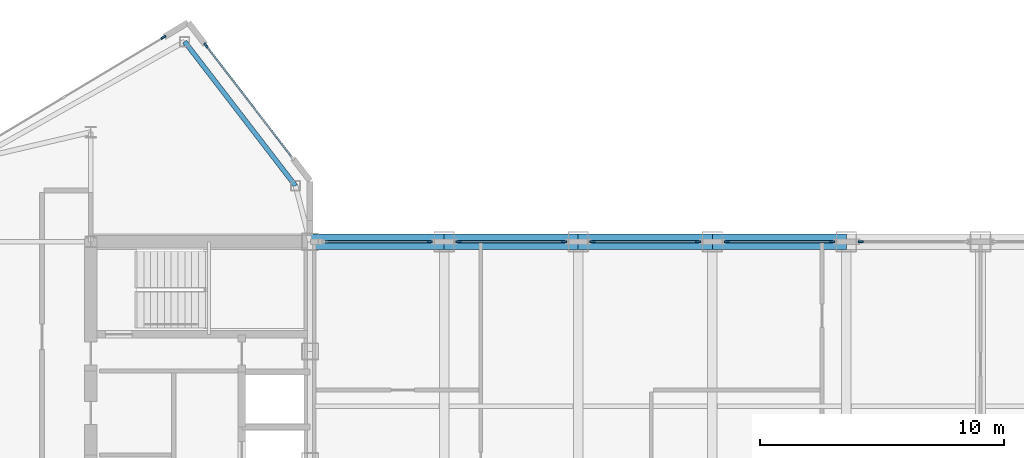
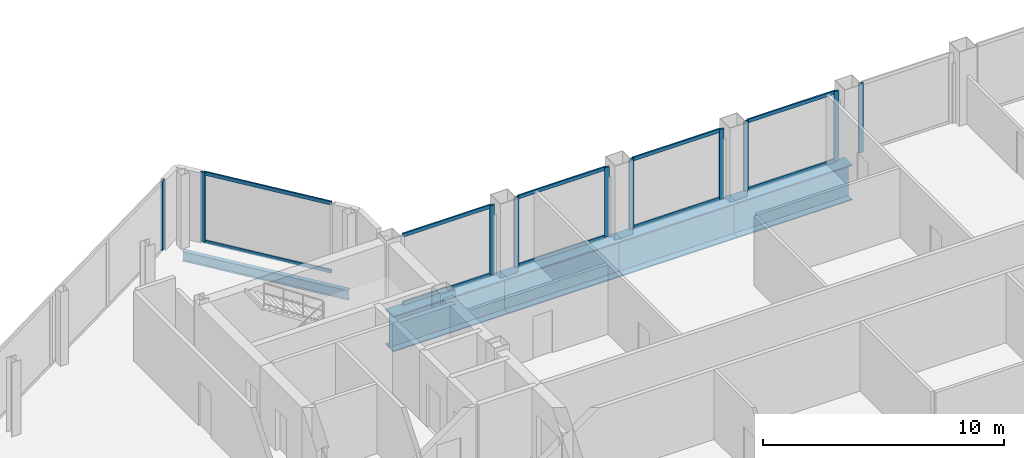
# One storey, part 12 of 29: 20 members, 5 beams, 7 elements without a shape of their own.
"""IFC4 building model written with IfcOpenShell, lengths in metres."""

from ifc_helpers import new_model, si_unit, direction, frame, origin, origin_2d, place, context, subcontext, project, spatial, rectangle, i_section, extrude, source, transform, mapped, material, layer, layer_set, material_profile, profile_set, type_object, type_shapes, element, aggregate, save


model = new_model("IFC4")

# Units and contexts
model_context = context("Model", 3, precision=1e-05, world=origin(), true_north=direction((0.0, 1.0)))
body_context = subcontext(model_context, "Body", "Model", "MODEL_VIEW")
ifc_project = project(units=[si_unit("LENGTHUNIT", "METRE"), si_unit("AREAUNIT", "SQUARE_METRE"), si_unit("VOLUMEUNIT", "CUBIC_METRE"), si_unit("PLANEANGLEUNIT", "RADIAN"), si_unit("MASSUNIT", "GRAM", prefix="KILO")], contexts=[model_context])

# Site, building, storey
site_placement = place(None, origin())
site = spatial("IfcSite", under=ifc_project, at=site_placement, CompositionType="ELEMENT")
building_placement = place(site_placement, origin())
building = spatial("IfcBuilding", under=site, at=building_placement, Name="Seokmaru Belvedere", CompositionType="ELEMENT")
storey_placement = place(building_placement, frame((0.0, 0.0, 239.39990234375)))
storey = spatial("IfcBuildingStorey", under=building, at=storey_placement, Name="L63", CompositionType="ELEMENT", Elevation=239.39990234375)

# Beams
ifc_material_1 = material(Name="Steel SM355 (355 MPa)", Category="steel")
ifc_material_profile_1 = material_profile(ifc_material_1, i_section(OverallWidth=0.199951171875, OverallDepth=0.5, WebThickness=0.010009765625, FlangeThickness=0.01611328125, at=origin_2d()), Name="H-500x200x10x16")
ifc_profile_set_1 = profile_set([ifc_material_profile_1], Name="Steel SM355 (355 MPa)")
beam_type_1 = type_object("IfcBeamType", Name="Perimeter Spandrel Beam H-500", PredefinedType="SPANDREL", material=ifc_profile_set_1)
shared_shape_1 = source(origin(), body_context, "Body", "SweptSolid", [
    extrude(i_section(OverallWidth=0.199951171875, OverallDepth=0.5, WebThickness=0.010009765625, FlangeThickness=0.01611328125, at=origin_2d()), origin(), (0.0, 0.0, 1.0), 7.4619140625),
])
type_shapes(beam_type_1, [shared_shape_1])
beam_placement = place(storey_placement, frame((-32.649658203125, 21.71044921875, -0.469970703125), z_axis=(0.609702854945, -0.792630070507, 0.0), x_axis=(0.792630070507, 0.609702854945, 0.0)))
element("IfcBeam", 1, at=beam_placement, inside=storey, type_object=beam_type_1, Name="L63 W Shoulder Chamfer Spandrel N", PredefinedType="SPANDREL", context=body_context, shape_type="MappedRepresentation", body=[
    mapped(shared_shape_1, transform((0.0, 0.0, 0.0), scale=1.0)),
])
ifc_material_2 = material(Name="Steel HSA650 (650 MPa)", Category="steel")
ifc_material_profile_2 = material_profile(ifc_material_2, i_section(OverallWidth=0.64990234375, OverallDepth=1.800048828125, WebThickness=0.031982421875, FlangeThickness=0.054931640625, at=origin_2d()), Name="BH-1800x650x32x55")
ifc_profile_set_2 = profile_set([ifc_material_profile_2], Name="Steel HSA650 (650 MPa)")
beam_type_2 = type_object("IfcBeamType", Name="Sky-Gate Upper Bridge Chord Girder BH-1800", PredefinedType="BEAM", material=ifc_profile_set_2)
shared_shape_2 = source(origin(), body_context, "Body", "SweptSolid", [
    extrude(i_section(OverallWidth=0.64990234375, OverallDepth=1.800048828125, WebThickness=0.031982421875, FlangeThickness=0.054931640625, at=origin_2d()), origin(), (0.0, 0.0, 1.0), 5.5),
])
type_shapes(beam_type_2, [shared_shape_2])
for number, where, z_axis, x_axis, name in (
    (2, (-27.5, 13.5, -1.119873046875), (1.0, 0.0, 0.0), (0.0, 1.0, 0.0), "L63 Sky-Gate Transfer Truss Chord N-02"),
    (3, (-22.0, 13.5, -1.119873046875), (1.0, 0.0, 0.0), (0.0, 1.0, 0.0), "L63 Sky-Gate Transfer Truss Chord N-03"),
    (4, (-16.5, 13.5, -1.119873046875), (1.0, 0.0, 0.0), (0.0, 1.0, 0.0), "L63 Sky-Gate Transfer Truss Chord N-04"),
    (5, (-11.0, 13.5, -1.119873046875), (1.0, 0.0, 0.0), (0.0, 1.0, 0.0), "L63 Sky-Gate Transfer Truss Chord N-05"),
):
    element("IfcBeam", number, at=place(storey_placement, frame(where, z_axis=z_axis, x_axis=x_axis)), inside=storey, type_object=beam_type_2, Name=name, PredefinedType="BEAM", context=body_context, shape_type="MappedRepresentation", body=[
        mapped(shared_shape_2, transform((0.0, 0.0, 0.0), scale=1.0)),
    ])

# Curtain wall, members
ifc_material_3 = material(Name="Bronze Triple Insulating Glass", Category="glass")
ifc_layer = layer(ifc_material_3, 0.219970703125)
ifc_layer_set = layer_set([ifc_layer], Name="Bronze Triple Insulating Glass")
curtain_wall_type = type_object("IfcCurtainWallType", Name="Sky-Gate Bridge Panorama Curtain Wall System CW-6", PredefinedType="NOTDEFINED", material=ifc_layer_set)
curtain_wall_1_placement = place(storey_placement, origin())
curtain_wall_1 = element("IfcCurtainWall", 6, at=curtain_wall_1_placement, inside=storey, type_object=curtain_wall_type, Name="L63 Curtain Wall WF2", PredefinedType="NOTDEFINED")
ifc_material_4 = material(Name="Anodised Bronze Aluminium", Category="aluminium")
ifc_material_profile_3 = material_profile(ifc_material_4, rectangle(XDim=0.074951171875, YDim=0.179931640625, at=origin_2d()), Name="CW-T-75x180")
ifc_profile_set_3 = profile_set([ifc_material_profile_3], Name="Anodised Bronze Aluminium")
member_type_1 = type_object("IfcMemberType", Name="Bronze Unitised Transom 75x180", PredefinedType="USERDEFINED", material=ifc_profile_set_3)
shared_shape_3 = source(origin(), body_context, "Body", "SweptSolid", [
    extrude(rectangle(XDim=0.074951171875, YDim=0.179931640625, at=origin_2d()), origin(), (0.0, 0.0, 1.0), 5.74072265625),
])
member_1_placement = place(storey_placement, frame((-28.25, 16.974853515625, 0.03759765625), z_axis=(-0.609686097287, 0.792642960465, 0.0), x_axis=(-0.792642960465, -0.609686097287, 0.0)))
member_1 = element("IfcMember", 7, at=member_1_placement, type_object=member_type_1, Name="CW:L63:WF2 Continuous Transom 1", ObjectType="TRANSOM", PredefinedType="USERDEFINED", context=body_context, shape_type="MappedRepresentation", body=[
    mapped(shared_shape_3, transform((0.0, 0.0, 0.0), scale=1.0)),
])
member_2_placement = place(storey_placement, frame((-28.25, 16.974853515625, 3.49267578125), z_axis=(-0.609686097287, 0.792642960465, 0.0), x_axis=(-0.792642960465, -0.609686097287, 0.0)))
member_2 = element("IfcMember", 8, at=member_2_placement, type_object=member_type_1, Name="CW:L63:WF2 Continuous Transom 2", ObjectType="TRANSOM", PredefinedType="USERDEFINED", context=body_context, shape_type="MappedRepresentation", body=[
    mapped(shared_shape_3, transform((0.0, 0.0, 0.0), scale=1.0)),
])

curtain_wall_2_placement = place(storey_placement, origin())
curtain_wall_2 = element("IfcCurtainWall", 9, at=curtain_wall_2_placement, inside=storey, type_object=curtain_wall_type, Name="L63 Curtain Wall BR_N01", PredefinedType="NOTDEFINED")
shared_shape_4 = source(origin(), body_context, "Body", "SweptSolid", [
    extrude(rectangle(XDim=0.074951171875, YDim=0.179931640625, at=origin_2d()), origin(), (0.0, 0.0, 1.0), 4.240234375),
])
type_shapes(member_type_1, [shared_shape_3, shared_shape_4])
member_3_placement = place(storey_placement, frame((-22.6298828125, 13.5, 0.03759765625), z_axis=(-1.0, 0.0, 0.0), x_axis=(0.0, -1.0, 0.0)))
member_3 = element("IfcMember", 10, at=member_3_placement, type_object=member_type_1, Name="CW:L63:BR_N01 Continuous Transom 1", ObjectType="TRANSOM", PredefinedType="USERDEFINED", context=body_context, shape_type="MappedRepresentation", body=[
    mapped(shared_shape_4, transform((0.0, 0.0, 0.0), scale=1.0)),
])
member_4_placement = place(storey_placement, frame((-22.6298828125, 13.5, 3.49267578125), z_axis=(-1.0, 0.0, 0.0), x_axis=(0.0, -1.0, 0.0)))
member_4 = element("IfcMember", 11, at=member_4_placement, type_object=member_type_1, Name="CW:L63:BR_N01 Continuous Transom 2", ObjectType="TRANSOM", PredefinedType="USERDEFINED", context=body_context, shape_type="MappedRepresentation", body=[
    mapped(shared_shape_4, transform((0.0, 0.0, 0.0), scale=1.0)),
])

curtain_wall_3_placement = place(storey_placement, origin())
curtain_wall_3 = element("IfcCurtainWall", 12, at=curtain_wall_3_placement, inside=storey, type_object=curtain_wall_type, Name="L63 Curtain Wall BR_N02", PredefinedType="NOTDEFINED")
member_5_placement = place(storey_placement, frame((-17.1298828125, 13.5, 0.03759765625), z_axis=(-1.0, 0.0, 0.0), x_axis=(0.0, -1.0, 0.0)))
member_5 = element("IfcMember", 13, at=member_5_placement, type_object=member_type_1, Name="CW:L63:BR_N02 Continuous Transom 1", ObjectType="TRANSOM", PredefinedType="USERDEFINED", context=body_context, shape_type="MappedRepresentation", body=[
    mapped(shared_shape_4, transform((0.0, 0.0, 0.0), scale=1.0)),
])
member_6_placement = place(storey_placement, frame((-17.1298828125, 13.5, 3.49267578125), z_axis=(-1.0, 0.0, 0.0), x_axis=(0.0, -1.0, 0.0)))
member_6 = element("IfcMember", 14, at=member_6_placement, type_object=member_type_1, Name="CW:L63:BR_N02 Continuous Transom 2", ObjectType="TRANSOM", PredefinedType="USERDEFINED", context=body_context, shape_type="MappedRepresentation", body=[
    mapped(shared_shape_4, transform((0.0, 0.0, 0.0), scale=1.0)),
])

curtain_wall_4_placement = place(storey_placement, origin())
curtain_wall_4 = element("IfcCurtainWall", 15, at=curtain_wall_4_placement, inside=storey, type_object=curtain_wall_type, Name="L63 Curtain Wall BR_N03", PredefinedType="NOTDEFINED")
member_7_placement = place(storey_placement, frame((-11.6298828125, 13.5, 0.03759765625), z_axis=(-1.0, 0.0, 0.0), x_axis=(0.0, -1.0, 0.0)))
member_7 = element("IfcMember", 16, at=member_7_placement, type_object=member_type_1, Name="CW:L63:BR_N03 Continuous Transom 1", ObjectType="TRANSOM", PredefinedType="USERDEFINED", context=body_context, shape_type="MappedRepresentation", body=[
    mapped(shared_shape_4, transform((0.0, 0.0, 0.0), scale=1.0)),
])
member_8_placement = place(storey_placement, frame((-11.6298828125, 13.5, 3.49267578125), z_axis=(-1.0, 0.0, 0.0), x_axis=(0.0, -1.0, 0.0)))
member_8 = element("IfcMember", 17, at=member_8_placement, type_object=member_type_1, Name="CW:L63:BR_N03 Continuous Transom 2", ObjectType="TRANSOM", PredefinedType="USERDEFINED", context=body_context, shape_type="MappedRepresentation", body=[
    mapped(shared_shape_4, transform((0.0, 0.0, 0.0), scale=1.0)),
])

curtain_wall_5_placement = place(storey_placement, origin())
curtain_wall_5 = element("IfcCurtainWall", 18, at=curtain_wall_5_placement, inside=storey, type_object=curtain_wall_type, Name="L63 Curtain Wall BR_N04", PredefinedType="NOTDEFINED")
member_9_placement = place(storey_placement, frame((-6.1298828125, 13.5, 0.03759765625), z_axis=(-1.0, 0.0, 0.0), x_axis=(0.0, -1.0, 0.0)))
member_9 = element("IfcMember", 19, at=member_9_placement, type_object=member_type_1, Name="CW:L63:BR_N04 Continuous Transom 1", ObjectType="TRANSOM", PredefinedType="USERDEFINED", context=body_context, shape_type="MappedRepresentation", body=[
    mapped(shared_shape_4, transform((0.0, 0.0, 0.0), scale=1.0)),
])
member_10_placement = place(storey_placement, frame((-6.1298828125, 13.5, 3.49267578125), z_axis=(-1.0, 0.0, 0.0), x_axis=(0.0, -1.0, 0.0)))
member_10 = element("IfcMember", 20, at=member_10_placement, type_object=member_type_1, Name="CW:L63:BR_N04 Continuous Transom 2", ObjectType="TRANSOM", PredefinedType="USERDEFINED", context=body_context, shape_type="MappedRepresentation", body=[
    mapped(shared_shape_4, transform((0.0, 0.0, 0.0), scale=1.0)),
])

# Member
ifc_material_profile_4 = material_profile(ifc_material_4, rectangle(XDim=0.080078125, YDim=0.219970703125, at=origin_2d()), Name="CW-M-80x220")
ifc_profile_set_4 = profile_set([ifc_material_profile_4], Name="Anodised Bronze Aluminium")
member_type_2 = type_object("IfcMemberType", Name="Bronze Unitised Mullion 80x220", PredefinedType="MULLION", material=ifc_profile_set_4)
shared_shape_5 = source(origin(), body_context, "Body", "SweptSolid", [
    extrude(rectangle(XDim=0.080078125, YDim=0.219970703125, at=origin_2d()), origin(), (0.0, 0.0, 1.0), 3.530029296875),
])
type_shapes(member_type_2, [shared_shape_5])
member_11_placement = place(storey_placement, frame((-31.7744140625, 21.556884765625, 0.0), z_axis=(0.0, 0.0, 1.0), x_axis=(-0.792631353244, -0.609701187349, 0.0)))
member_11 = element("IfcMember", 21, at=member_11_placement, type_object=member_type_2, Name="CW:L63:WF2 Mullion 2", PredefinedType="MULLION", context=body_context, shape_type="MappedRepresentation", body=[
    mapped(shared_shape_5, transform((0.0, 0.0, 0.0), scale=1.0)),
])

aggregate(curtain_wall_1, [member_11, member_1, member_2])

# Curtain wall, member
curtain_wall_6_placement = place(storey_placement, origin())
curtain_wall_6 = element("IfcCurtainWall", 22, at=curtain_wall_6_placement, inside=storey, type_object=curtain_wall_type, Name="L63 Curtain Wall WF3", PredefinedType="NOTDEFINED")
member_12_placement = place(storey_placement, frame((-33.5205078125, 21.8876953125, 0.0), z_axis=(0.0, 0.0, 1.0), x_axis=(0.514494909364, -0.85749343335, 0.0)))
member_12 = element("IfcMember", 23, at=member_12_placement, type_object=member_type_2, Name="CW:L63:WF3 Mullion 1", PredefinedType="MULLION", context=body_context, shape_type="MappedRepresentation", body=[
    mapped(shared_shape_5, transform((0.0, 0.0, 0.0), scale=1.0)),
])
aggregate(curtain_wall_6, [member_12])

# Member
member_13_placement = place(storey_placement, frame((-22.590087890625, 13.5, 0.0), z_axis=(0.0, 0.0, 1.0), x_axis=(0.0, -1.0, 0.0)))
member_13 = element("IfcMember", 24, at=member_13_placement, type_object=member_type_2, Name="CW:L63:BR_N01 Mullion 1", PredefinedType="MULLION", context=body_context, shape_type="MappedRepresentation", body=[
    mapped(shared_shape_5, transform((0.0, 0.0, 0.0), scale=1.0)),
])

aggregate(curtain_wall_2, [member_13, member_3, member_4])

member_14_placement = place(storey_placement, frame((-17.090087890625, 13.5, 0.0), z_axis=(0.0, 0.0, 1.0), x_axis=(0.0, -1.0, 0.0)))
member_14 = element("IfcMember", 25, at=member_14_placement, type_object=member_type_2, Name="CW:L63:BR_N02 Mullion 1", PredefinedType="MULLION", context=body_context, shape_type="MappedRepresentation", body=[
    mapped(shared_shape_5, transform((0.0, 0.0, 0.0), scale=1.0)),
])

member_15_placement = place(storey_placement, frame((-21.409912109375, 13.5, 0.0), z_axis=(0.0, 0.0, 1.0), x_axis=(0.0, -1.0, 0.0)))
member_15 = element("IfcMember", 26, at=member_15_placement, type_object=member_type_2, Name="CW:L63:BR_N02 Mullion 2", PredefinedType="MULLION", context=body_context, shape_type="MappedRepresentation", body=[
    mapped(shared_shape_5, transform((0.0, 0.0, 0.0), scale=1.0)),
])

aggregate(curtain_wall_3, [member_14, member_15, member_5, member_6])

member_16_placement = place(storey_placement, frame((-11.590087890625, 13.5, 0.0), z_axis=(0.0, 0.0, 1.0), x_axis=(0.0, -1.0, 0.0)))
member_16 = element("IfcMember", 27, at=member_16_placement, type_object=member_type_2, Name="CW:L63:BR_N03 Mullion 1", PredefinedType="MULLION", context=body_context, shape_type="MappedRepresentation", body=[
    mapped(shared_shape_5, transform((0.0, 0.0, 0.0), scale=1.0)),
])

member_17_placement = place(storey_placement, frame((-15.909912109375, 13.5, 0.0), z_axis=(0.0, 0.0, 1.0), x_axis=(0.0, -1.0, 0.0)))
member_17 = element("IfcMember", 28, at=member_17_placement, type_object=member_type_2, Name="CW:L63:BR_N03 Mullion 2", PredefinedType="MULLION", context=body_context, shape_type="MappedRepresentation", body=[
    mapped(shared_shape_5, transform((0.0, 0.0, 0.0), scale=1.0)),
])

aggregate(curtain_wall_4, [member_16, member_17, member_7, member_8])

member_18_placement = place(storey_placement, frame((-6.090087890625, 13.5, 0.0), z_axis=(0.0, 0.0, 1.0), x_axis=(0.0, -1.0, 0.0)))
member_18 = element("IfcMember", 29, at=member_18_placement, type_object=member_type_2, Name="CW:L63:BR_N04 Mullion 1", PredefinedType="MULLION", context=body_context, shape_type="MappedRepresentation", body=[
    mapped(shared_shape_5, transform((0.0, 0.0, 0.0), scale=1.0)),
])

member_19_placement = place(storey_placement, frame((-10.409912109375, 13.5, 0.0), z_axis=(0.0, 0.0, 1.0), x_axis=(0.0, -1.0, 0.0)))
member_19 = element("IfcMember", 30, at=member_19_placement, type_object=member_type_2, Name="CW:L63:BR_N04 Mullion 2", PredefinedType="MULLION", context=body_context, shape_type="MappedRepresentation", body=[
    mapped(shared_shape_5, transform((0.0, 0.0, 0.0), scale=1.0)),
])

aggregate(curtain_wall_5, [member_18, member_19, member_9, member_10])

# Curtain wall, member
curtain_wall_7_placement = place(storey_placement, origin())
curtain_wall_7 = element("IfcCurtainWall", 31, at=curtain_wall_7_placement, inside=storey, type_object=curtain_wall_type, Name="L63 Curtain Wall BR_N05", PredefinedType="NOTDEFINED")
member_20_placement = place(storey_placement, frame((-4.909912109375, 13.5, 0.0), z_axis=(0.0, 0.0, 1.0), x_axis=(0.0, -1.0, 0.0)))
member_20 = element("IfcMember", 32, at=member_20_placement, type_object=member_type_2, Name="CW:L63:BR_N05 Mullion 2", PredefinedType="MULLION", context=body_context, shape_type="MappedRepresentation", body=[
    mapped(shared_shape_5, transform((0.0, 0.0, 0.0), scale=1.0)),
])
aggregate(curtain_wall_7, [member_20])

save(model, "model.ifc")
